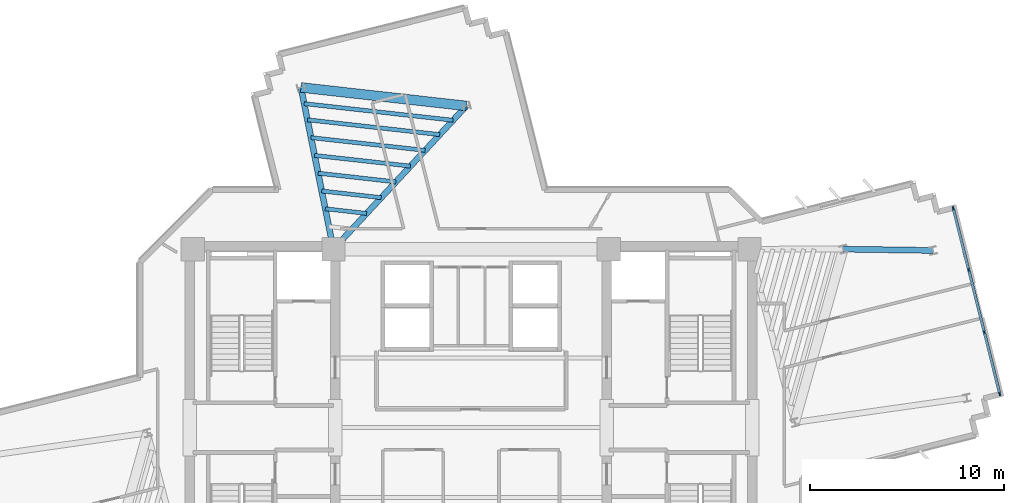
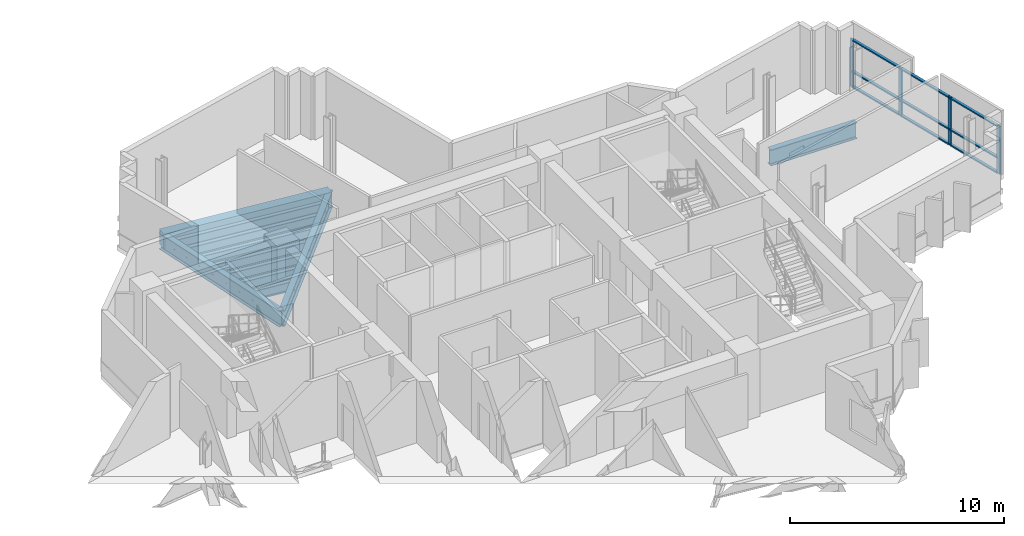
# One storey, part 4 of 13: 13 members, 11 beams, 1 element without a shape of its own.
"""IFC4 building model written with IfcOpenShell, lengths in metres."""

import ifcopenshell
import ifcopenshell.guid

model = None  # the IFC model being written
_history = None  # IfcOwnerHistory: only IFC2X3 demands one
_inside = {}  # id of a spatial element -> (the spatial element, [elements in it])
_under = {}  # id of a project, library or spatial element -> (it, [spatial elements below it])
_declared = {}  # id of a project -> (the project, [libraries it declares])
_typed = {}  # id of a type object -> (the type object, [elements of that type])
_made_of = {}  # id of a material, layer set ... -> (it, [elements and type objects made of it])


def new_model(schema):
    """Start an empty IFC model of exactly this schema.

    Asked for "IFC4X3", IfcOpenShell would pick the latest addendum, in which some entities
    have other attributes; the version numbers below select the first issue.
    IFC2X3 requires an IfcOwnerHistory on every rooted entity: one is made here for all.
    """
    global model, _history
    if schema == "IFC4X3":
        model = ifcopenshell.file(schema_version=(4, 3, 0, 0))
    else:
        model = ifcopenshell.file(schema=schema)
    _inside.clear()
    _under.clear()
    _declared.clear()
    _typed.clear()
    _made_of.clear()
    _history = None
    if model.schema == "IFC2X3":
        org = make("IfcOrganization", Name="unknown")
        user = make(
            "IfcPersonAndOrganization",
            ThePerson=make("IfcPerson", FamilyName="unknown"),
            TheOrganization=org,
        )
        app = make(
            "IfcApplication",
            ApplicationDeveloper=org,
            Version="unknown",
            ApplicationFullName="unknown",
            ApplicationIdentifier="unknown",
        )
        _history = make(
            "IfcOwnerHistory",
            OwningUser=user,
            OwningApplication=app,
            ChangeAction="ADDED",
            CreationDate=0,
        )
    return model


def make(cls, **values):
    """One entity of the class cls with the attributes given. An attribute that is None is left unset."""
    return model.create_entity(
        cls, **{name: value for name, value in values.items() if value is not None}
    )


def rooted(cls, **values):
    """An entity with a GlobalId (a new one), such as an element, a storey or a relation."""
    return make(cls, GlobalId=ifcopenshell.guid.new(), OwnerHistory=_history, **values)


def si_unit(unit_type, name, prefix=None):
    """IfcSIUnit, for example si_unit("LENGTHUNIT", "METRE", prefix="MILLI")."""
    return make("IfcSIUnit", UnitType=unit_type, Prefix=prefix, Name=name)


def assignment(units):
    """IfcUnitAssignment: the units of a project."""
    return None if units is None else make("IfcUnitAssignment", Units=units)


def point(xyz):
    """IfcCartesianPoint."""
    return None if xyz is None else make("IfcCartesianPoint", Coordinates=xyz)


def direction(xyz):
    """IfcDirection."""
    return None if xyz is None else make("IfcDirection", DirectionRatios=xyz)


def frame(location, z_axis=None, x_axis=None):
    """IfcAxis2Placement3D, a coordinate frame: its origin and axes. An axis left out is left unset."""
    return make(
        "IfcAxis2Placement3D",
        Location=point(location),
        Axis=direction(z_axis),
        RefDirection=direction(x_axis),
    )


def frame_2d(location, x_axis=None):
    """IfcAxis2Placement2D, a coordinate frame in the plane: its origin and x axis."""
    return make(
        "IfcAxis2Placement2D", Location=point(location), RefDirection=direction(x_axis)
    )


def origin():
    """The frame at (0, 0, 0) with its axes left unset."""
    return frame((0.0, 0.0, 0.0))


def origin_2d():
    """The frame at (0, 0) in the plane with its x axis left unset."""
    return frame_2d((0.0, 0.0))


def place(relative_to, where):
    """IfcLocalPlacement: puts the frame where relative to a parent placement (None: the world)."""
    return make(
        "IfcLocalPlacement", PlacementRelTo=relative_to, RelativePlacement=where
    )


def context(
    kind, dimensions, precision=None, world=None, true_north=None, identifier=None
):
    """IfcGeometricRepresentationContext, for example the 3D "Model" context."""
    return make(
        "IfcGeometricRepresentationContext",
        ContextIdentifier=identifier,
        ContextType=kind,
        CoordinateSpaceDimension=dimensions,
        Precision=precision,
        WorldCoordinateSystem=world,
        TrueNorth=true_north,
    )


def subcontext(parent, identifier, kind, view, scale=None):
    """IfcGeometricRepresentationSubContext, for example "Body" below "Model"."""
    return make(
        "IfcGeometricRepresentationSubContext",
        ContextIdentifier=identifier,
        ContextType=kind,
        ParentContext=parent,
        TargetScale=scale,
        TargetView=view,
    )


def project(units=None, contexts=None):
    """IfcProject with its units and contexts."""
    return rooted(
        "IfcProject",
        Name="project",
        RepresentationContexts=contexts,
        UnitsInContext=assignment(units),
    )


def spatial(cls, under=None, at=None, **own):
    """A site, building, storey or space (cls), placed at a placement, below another one or the project."""
    s = rooted(cls, ObjectPlacement=at, **own)
    if under is not None:
        _under.setdefault(under.id(), (under, []))[1].append(s)
    return s


def profile(cls, at=None, kind="AREA", **sizes):
    """A parametric profile (cls). Its sizes go by their IFC names, for example OverallWidth=200.0."""
    return make(cls, ProfileType=kind, Position=at, **sizes)


def rectangle(**sizes):
    """IfcRectangleProfileDef."""
    return profile("IfcRectangleProfileDef", **sizes)


def i_section(**sizes):
    """IfcIShapeProfileDef."""
    return profile("IfcIShapeProfileDef", **sizes)


def extrude(swept, where, along, depth):
    """IfcExtrudedAreaSolid: the profile swept, set in the frame where, extruded along a direction by depth."""
    return make(
        "IfcExtrudedAreaSolid",
        SweptArea=swept,
        Position=where,
        ExtrudedDirection=direction(along),
        Depth=depth,
    )


def shape(context_of_items, identifier, shape_type, items):
    """IfcShapeRepresentation: the items that make up one representation, for example the "Body"."""
    return make(
        "IfcShapeRepresentation",
        ContextOfItems=context_of_items,
        RepresentationIdentifier=identifier,
        RepresentationType=shape_type,
        Items=items,
    )


def source(mapping_origin, context_of_items, identifier, shape_type, items):
    """IfcRepresentationMap: a shape defined once, which mapped items show again and again."""
    return make(
        "IfcRepresentationMap",
        MappingOrigin=mapping_origin,
        MappedRepresentation=shape(context_of_items, identifier, shape_type, items),
    )


def transform(
    local_origin,
    x_axis=None,
    y_axis=None,
    z_axis=None,
    scale=None,
    scale2=None,
    scale3=None,
    uniform=True,
):
    """IfcCartesianTransformationOperator3D, or its non-uniform kind. x_axis, y_axis, z_axis: its Axis1, 2, 3."""
    if uniform:
        return make(
            "IfcCartesianTransformationOperator3D",
            Axis1=direction(x_axis),
            Axis2=direction(y_axis),
            LocalOrigin=point(local_origin),
            Scale=scale,
            Axis3=direction(z_axis),
        )
    return make(
        "IfcCartesianTransformationOperator3DnonUniform",
        Axis1=direction(x_axis),
        Axis2=direction(y_axis),
        LocalOrigin=point(local_origin),
        Scale=scale,
        Axis3=direction(z_axis),
        Scale2=scale2,
        Scale3=scale3,
    )


def mapped(mapping_source, mapping_target):
    """IfcMappedItem: shows the shape of a source again, moved by a transform."""
    return make(
        "IfcMappedItem", MappingSource=mapping_source, MappingTarget=mapping_target
    )


def material(Name=None, Category=None):
    """IfcMaterial."""
    return make("IfcMaterial", Name=Name, Category=Category)


def layer(
    of_material, thickness, ventilated=None, Name=None, Category=None, Priority=None
):
    """IfcMaterialLayer: one layer of a wall or slab, of a material (None: an air gap)."""
    return make(
        "IfcMaterialLayer",
        Material=of_material,
        LayerThickness=thickness,
        IsVentilated=ventilated,
        Name=Name,
        Category=Category,
        Priority=Priority,
    )


def layer_set(layers, Name=None):
    """IfcMaterialLayerSet."""
    return make("IfcMaterialLayerSet", MaterialLayers=layers, LayerSetName=Name)


def material_profile(
    of_material, cross_section, Name=None, Category=None, Priority=None
):
    """IfcMaterialProfile: a cross section and its material."""
    return make(
        "IfcMaterialProfile",
        Name=Name,
        Material=of_material,
        Profile=cross_section,
        Priority=Priority,
        Category=Category,
    )


def profile_set(profiles, Name=None, composite=None):
    """IfcMaterialProfileSet."""
    return make(
        "IfcMaterialProfileSet",
        Name=Name,
        MaterialProfiles=profiles,
        CompositeProfile=composite,
    )


def made_of(thing, what):
    """Note that an element or type object is made of a material, layer set ...; save() writes the relation."""
    if what is not None:
        _made_of.setdefault(what.id(), (what, []))[1].append(thing)
    return thing


def type_object(cls, material=None, **own):
    """A type object (cls), such as IfcWallType, which elements share."""
    return made_of(rooted(cls, **own), material)


def element(
    cls,
    number,
    at=None,
    inside=None,
    cuts=None,
    type_object=None,
    material=None,
    context=None,
    identifier="Body",
    shape_type=None,
    held_by="IfcProductDefinitionShape",
    body=None,
    shapes=None,
    **own,
):
    """One element of the class cls, such as IfcWall. Its Tag is "e" and its number.

    at: its placement. inside: the storey or other place that contains it. cuts: it is an
    opening in that element (IfcRelVoidsElement). A single representation is given by context,
    identifier, shape_type and body (its items); several are given by shapes. held_by: the class
    of the entity that holds the representations. save() writes the other relations.
    """
    e = rooted(cls, Tag="e%d" % number, ObjectPlacement=at, **own)
    if body is not None:
        shapes = [shape(context, identifier, shape_type, body)]
    if shapes is not None:
        e.Representation = make(held_by, Representations=shapes)
    if inside is not None:
        _inside.setdefault(inside.id(), (inside, []))[1].append(e)
    if cuts is not None:
        rooted(
            "IfcRelVoidsElement", RelatingBuildingElement=cuts, RelatedOpeningElement=e
        )
    if type_object is not None:
        _typed.setdefault(type_object.id(), (type_object, []))[1].append(e)
    return made_of(e, material)


def aggregate(whole, parts):
    """IfcRelAggregates: a whole, such as a stair, and the parts it consists of."""
    return rooted("IfcRelAggregates", RelatingObject=whole, RelatedObjects=parts)


def save(model, path):
    """Write the relations noted so far, then the file.

    IfcRelAggregates (storeys below a building ...), IfcRelContainedInSpatialStructure (elements
    in a storey), IfcRelDefinesByType, IfcRelAssociatesMaterial and IfcRelDeclares: one each for
    every whole, place, type object, material and project.
    """
    for whole, parts in _under.values():
        aggregate(whole, parts)
    for where, things in _inside.values():
        rooted(
            "IfcRelContainedInSpatialStructure",
            RelatedElements=things,
            RelatingStructure=where,
        )
    for kind, things in _typed.values():
        rooted("IfcRelDefinesByType", RelatedObjects=things, RelatingType=kind)
    for what, things in _made_of.values():
        rooted("IfcRelAssociatesMaterial", RelatedObjects=things, RelatingMaterial=what)
    for by, libraries in _declared.values():
        rooted("IfcRelDeclares", RelatingContext=by, RelatedDefinitions=libraries)
    model.write(path)


model = new_model("IFC4")

# Units and contexts
model_context = context("Model", 3, precision=1e-05, world=origin(), true_north=direction((0.0, 1.0)))
body_context = subcontext(model_context, "Body", "Model", "MODEL_VIEW")
ifc_project = project(units=[si_unit("LENGTHUNIT", "METRE"), si_unit("AREAUNIT", "SQUARE_METRE"), si_unit("VOLUMEUNIT", "CUBIC_METRE"), si_unit("PLANEANGLEUNIT", "RADIAN"), si_unit("MASSUNIT", "GRAM", prefix="KILO")], contexts=[model_context])

# Site, building, storey
site_placement = place(None, origin())
site = spatial("IfcSite", under=ifc_project, at=site_placement, CompositionType="ELEMENT")
building_placement = place(site_placement, origin())
building = spatial("IfcBuilding", under=site, at=building_placement, Name="Zahravan Cultural Tower", CompositionType="ELEMENT")
storey_placement = place(building_placement, frame((0.0, 0.0, 186.300048828125)))
storey = spatial("IfcBuildingStorey", under=building, at=storey_placement, Name="L43", CompositionType="ELEMENT", Elevation=186.300048828125)

# Beams
ifc_material_1 = material(Name="Steel ASTM A992 Grade 50", Category="steel")
ifc_material_profile_1 = material_profile(ifc_material_1, i_section(OverallWidth=0.304931640625, OverallDepth=0.9189453125, WebThickness=0.017333984375, FlangeThickness=0.02783203125, FilletRadius=0.02392578125, at=origin_2d()), Name="W36X170")
ifc_profile_set_1 = profile_set([ifc_material_profile_1], Name="Steel ASTM A992 Grade 50")
beam_type_1 = type_object("IfcBeamType", Name="BM-G-W36X170", PredefinedType="BEAM", material=ifc_profile_set_1)
shared_shape_1 = source(origin(), body_context, "Body", "SweptSolid", [
    extrude(i_section(OverallWidth=0.304931640625, OverallDepth=0.9189453125, WebThickness=0.017333984375, FlangeThickness=0.02783203125, FilletRadius=0.02392578125, at=origin_2d()), origin(), (0.0, 0.0, 1.0), 10.077880859375),
])
beam_1_placement = place(storey_placement, frame((28.89990234375, 36.199951171875, -0.739501953125), z_axis=(0.680170435587, 0.733054007938, 0.0), x_axis=(-0.733054007938, 0.680170435587, 0.0)))
element("IfcBeam", 1, at=beam_1_placement, inside=storey, type_object=beam_type_1, Name="L43 Beam BG-L43-13", PredefinedType="BEAM", context=body_context, shape_type="MappedRepresentation", body=[
    mapped(shared_shape_1, transform((0.0, 0.0, 0.0), x_axis=(1.0, 0.0, 0.0), y_axis=(0.0, 1.0, 0.0), z_axis=(0.0, 0.0, 1.0), scale=1.0)),
])
shared_shape_2 = source(origin(), body_context, "Body", "SweptSolid", [
    extrude(i_section(OverallWidth=0.304931640625, OverallDepth=0.9189453125, WebThickness=0.017333984375, FlangeThickness=0.02783203125, FilletRadius=0.02392578125, at=origin_2d()), origin(), (0.0, 0.0, 1.0), 8.50732421875),
])
beam_2_placement = place(storey_placement, frame((28.89990234375, 36.199951171875, -0.739501953125), z_axis=(-0.196524514012, 0.980498911469, 0.0), x_axis=(-0.980498911469, -0.196524514012, 0.0)))
element("IfcBeam", 2, at=beam_2_placement, inside=storey, type_object=beam_type_1, Name="L43 Beam BG-L43-14", PredefinedType="BEAM", context=body_context, shape_type="MappedRepresentation", body=[
    mapped(shared_shape_2, transform((0.0, 0.0, 0.0), x_axis=(1.0, 0.0, 0.0), y_axis=(0.0, 1.0, 0.0), z_axis=(0.0, 0.0, 1.0), scale=1.0)),
])
shared_shape_3 = source(origin(), body_context, "Body", "SweptSolid", [
    extrude(i_section(OverallWidth=0.304931640625, OverallDepth=0.9189453125, WebThickness=0.017333984375, FlangeThickness=0.02783203125, FilletRadius=0.02392578125, at=origin_2d()), origin(), (0.0, 0.0, 1.0), 4.622314453125),
])
beam_3_placement = place(storey_placement, frame((55.184814453125, 36.2060546875, -0.739501953125), z_axis=(0.999889070044, -0.014894549562, 0.0), x_axis=(0.014894549562, 0.999889070044, 0.0)))
element("IfcBeam", 3, at=beam_3_placement, inside=storey, type_object=beam_type_1, Name="L43 Beam BG-L43-16", PredefinedType="BEAM", context=body_context, shape_type="MappedRepresentation", body=[
    mapped(shared_shape_3, transform((0.0, 0.0, 0.0), x_axis=(1.0, 0.0, 0.0), y_axis=(0.0, 1.0, 0.0), z_axis=(0.0, 0.0, 1.0), scale=1.0)),
])
ifc_material_2 = material(Name="Concrete C50/60", Category="concrete")
ifc_material_profile_2 = material_profile(ifc_material_2, rectangle(XDim=0.5, YDim=0.85009765625, at=origin_2d()), Name="RC500X850")
ifc_profile_set_2 = profile_set([ifc_material_profile_2], Name="Concrete C50/60")
beam_type_2 = type_object("IfcBeamType", Name="BM-SP-RC500X850", PredefinedType="SPANDREL", material=ifc_profile_set_2)
shared_shape_4 = source(origin(), body_context, "Body", "SweptSolid", [
    extrude(rectangle(XDim=0.5, YDim=0.85009765625, at=origin_2d()), origin(), (0.0, 0.0, 1.0), 8.579833984375),
])
beam_4_placement = place(storey_placement, frame((35.754638671875, 43.587646484375, -0.705078125), z_axis=(-0.9938040105, 0.11114669907, 0.0), x_axis=(-0.11114669907, -0.9938040105, 0.0)))
element("IfcBeam", 4, at=beam_4_placement, inside=storey, type_object=beam_type_2, Name="L43 Beam SP-L43-22", PredefinedType="SPANDREL", context=body_context, shape_type="MappedRepresentation", body=[
    mapped(shared_shape_4, transform((0.0, 0.0, 0.0), x_axis=(1.0, 0.0, 0.0), y_axis=(0.0, 1.0, 0.0), z_axis=(0.0, 0.0, 1.0), scale=1.0)),
])
ifc_material_profile_3 = material_profile(ifc_material_1, i_section(OverallWidth=0.2099609375, OverallDepth=0.532958984375, WebThickness=0.01025390625, FlangeThickness=0.015625, FilletRadius=0.013916015625, at=origin_2d()), Name="W21X62")
ifc_profile_set_3 = profile_set([ifc_material_profile_3], Name="Steel ASTM A992 Grade 50")
beam_type_3 = type_object("IfcBeamType", Name="BM-J-W21X62", PredefinedType="JOIST", material=ifc_profile_set_3)
shared_shape_5 = source(origin(), body_context, "Body", "SweptSolid", [
    extrude(i_section(OverallWidth=0.2099609375, OverallDepth=0.532958984375, WebThickness=0.01025390625, FlangeThickness=0.015625, FilletRadius=0.013916015625, at=origin_2d()), origin(), (0.0, 0.0, 1.0), 2.144775390625),
])
beam_5_placement = place(storey_placement, frame((30.613525390625, 38.046875, -0.546630859375), z_axis=(-0.993797370806, 0.111206051, 0.0), x_axis=(-0.111206051, -0.993797370806, 0.0)))
element("IfcBeam", 5, at=beam_5_placement, inside=storey, type_object=beam_type_3, Name="L43 Beam BJ-L43-51", PredefinedType="JOIST", context=body_context, shape_type="MappedRepresentation", body=[
    mapped(shared_shape_5, transform((0.0, 0.0, 0.0), x_axis=(1.0, 0.0, 0.0), y_axis=(0.0, 1.0, 0.0), z_axis=(0.0, 0.0, 1.0), scale=1.0)),
])
shared_shape_6 = source(origin(), body_context, "Body", "SweptSolid", [
    extrude(i_section(OverallWidth=0.2099609375, OverallDepth=0.532958984375, WebThickness=0.01025390625, FlangeThickness=0.015625, FilletRadius=0.013916015625, at=origin_2d()), origin(), (0.0, 0.0, 1.0), 3.088623046875),
])
beam_6_placement = place(storey_placement, frame((31.36767578125, 38.859619140625, -0.546630859375), z_axis=(-0.993805407368, 0.111134208443, 0.0), x_axis=(-0.111134208443, -0.993805407368, 0.0)))
element("IfcBeam", 6, at=beam_6_placement, inside=storey, type_object=beam_type_3, Name="L43 Beam BJ-L43-52", PredefinedType="JOIST", context=body_context, shape_type="MappedRepresentation", body=[
    mapped(shared_shape_6, transform((0.0, 0.0, 0.0), x_axis=(1.0, 0.0, 0.0), y_axis=(0.0, 1.0, 0.0), z_axis=(0.0, 0.0, 1.0), scale=1.0)),
])
shared_shape_7 = source(origin(), body_context, "Body", "SweptSolid", [
    extrude(i_section(OverallWidth=0.2099609375, OverallDepth=0.532958984375, WebThickness=0.01025390625, FlangeThickness=0.015625, FilletRadius=0.013916015625, at=origin_2d()), origin(), (0.0, 0.0, 1.0), 4.0322265625),
])
beam_7_placement = place(storey_placement, frame((32.12158203125, 39.672119140625, -0.546630859375), z_axis=(-0.993802245601, 0.11116247855, 0.0), x_axis=(-0.11116247855, -0.993802245601, 0.0)))
element("IfcBeam", 7, at=beam_7_placement, inside=storey, type_object=beam_type_3, Name="L43 Beam BJ-L43-53", PredefinedType="JOIST", context=body_context, shape_type="MappedRepresentation", body=[
    mapped(shared_shape_7, transform((0.0, 0.0, 0.0), x_axis=(1.0, 0.0, 0.0), y_axis=(0.0, 1.0, 0.0), z_axis=(0.0, 0.0, 1.0), scale=1.0)),
])
shared_shape_8 = source(origin(), body_context, "Body", "SweptSolid", [
    extrude(i_section(OverallWidth=0.2099609375, OverallDepth=0.532958984375, WebThickness=0.01025390625, FlangeThickness=0.015625, FilletRadius=0.013916015625, at=origin_2d()), origin(), (0.0, 0.0, 1.0), 4.97607421875),
])
beam_8_placement = place(storey_placement, frame((32.875732421875, 40.48486328125, -0.546630859375), z_axis=(-0.993806308517, 0.111126149723, 0.0), x_axis=(-0.111126149723, -0.993806308517, 0.0)))
element("IfcBeam", 8, at=beam_8_placement, inside=storey, type_object=beam_type_3, Name="L43 Beam BJ-L43-54", PredefinedType="JOIST", context=body_context, shape_type="MappedRepresentation", body=[
    mapped(shared_shape_8, transform((0.0, 0.0, 0.0), x_axis=(1.0, 0.0, 0.0), y_axis=(0.0, 1.0, 0.0), z_axis=(0.0, 0.0, 1.0), scale=1.0)),
])
shared_shape_9 = source(origin(), body_context, "Body", "SweptSolid", [
    extrude(i_section(OverallWidth=0.2099609375, OverallDepth=0.532958984375, WebThickness=0.01025390625, FlangeThickness=0.015625, FilletRadius=0.013916015625, at=origin_2d()), origin(), (0.0, 0.0, 1.0), 5.919921875),
])
beam_9_placement = place(storey_placement, frame((33.629638671875, 41.29736328125, -0.546630859375), z_axis=(-0.993804520866, 0.111142135602, 0.0), x_axis=(-0.111142135602, -0.993804520866, 0.0)))
element("IfcBeam", 9, at=beam_9_placement, inside=storey, type_object=beam_type_3, Name="L43 Beam BJ-L43-55", PredefinedType="JOIST", context=body_context, shape_type="MappedRepresentation", body=[
    mapped(shared_shape_9, transform((0.0, 0.0, 0.0), x_axis=(1.0, 0.0, 0.0), y_axis=(0.0, 1.0, 0.0), z_axis=(0.0, 0.0, 1.0), scale=1.0)),
])
shared_shape_10 = source(origin(), body_context, "Body", "SweptSolid", [
    extrude(i_section(OverallWidth=0.2099609375, OverallDepth=0.532958984375, WebThickness=0.01025390625, FlangeThickness=0.015625, FilletRadius=0.013916015625, at=origin_2d()), origin(), (0.0, 0.0, 1.0), 6.86376953125),
])
beam_10_placement = place(storey_placement, frame((34.3837890625, 42.110107421875, -0.546630859375), z_axis=(-0.993803224695, 0.111153725024, 0.0), x_axis=(-0.111153725024, -0.993803224695, 0.0)))
element("IfcBeam", 10, at=beam_10_placement, inside=storey, type_object=beam_type_3, Name="L43 Beam BJ-L43-56", PredefinedType="JOIST", context=body_context, shape_type="MappedRepresentation", body=[
    mapped(shared_shape_10, transform((0.0, 0.0, 0.0), x_axis=(1.0, 0.0, 0.0), y_axis=(0.0, 1.0, 0.0), z_axis=(0.0, 0.0, 1.0), scale=1.0)),
])
shared_shape_11 = source(origin(), body_context, "Body", "SweptSolid", [
    extrude(i_section(OverallWidth=0.2099609375, OverallDepth=0.532958984375, WebThickness=0.01025390625, FlangeThickness=0.015625, FilletRadius=0.013916015625, at=origin_2d()), origin(), (0.0, 0.0, 1.0), 7.7216796875),
])
beam_11_placement = place(storey_placement, frame((35.069091796875, 42.848876953125, -0.546630859375), z_axis=(-0.993805212115, 0.11113595446, 0.0), x_axis=(-0.11113595446, -0.993805212115, 0.0)))
element("IfcBeam", 11, at=beam_11_placement, inside=storey, type_object=beam_type_3, Name="L43 Beam BJ-L43-57", PredefinedType="JOIST", context=body_context, shape_type="MappedRepresentation", body=[
    mapped(shared_shape_11, transform((0.0, 0.0, 0.0), x_axis=(1.0, 0.0, 0.0), y_axis=(0.0, 1.0, 0.0), z_axis=(0.0, 0.0, 1.0), scale=1.0)),
])

# Curtain wall, members
ifc_material_3 = material(Name="Anodised bronze-aluminium mullion", Category="aluminium")
ifc_layer = layer(ifc_material_3, 0.199951171875)
ifc_layer_set = layer_set([ifc_layer], Name="Anodised bronze-aluminium mullion")
curtain_wall_type = type_object("IfcCurtainWallType", Name="CW-SYS-2", PredefinedType="USERDEFINED", material=ifc_layer_set)
curtain_wall_placement = place(storey_placement, origin())
curtain_wall = element("IfcCurtainWall", 12, at=curtain_wall_placement, inside=storey, type_object=curtain_wall_type, Name="L43 Recessed Curtain Wall CW-2.1", ObjectType="RECESSED GLAZING", PredefinedType="USERDEFINED")
ifc_material_profile_4 = material_profile(ifc_material_3, rectangle(XDim=0.14990234375, YDim=0.074951171875, at=origin_2d()), Name="AL-T75X150")
ifc_profile_set_4 = profile_set([ifc_material_profile_4], Name="Anodised bronze-aluminium mullion")
member_type_1 = type_object("IfcMemberType", Name="CWT-CW-2", PredefinedType="USERDEFINED", material=ifc_profile_set_4)
shared_shape_12 = source(origin(), body_context, "Body", "SweptSolid", [
    extrude(rectangle(XDim=0.14990234375, YDim=0.074951171875, at=origin_2d()), origin(), (0.0, 0.0, 1.0), 3.231689453125),
])
member_1_placement = place(storey_placement, frame((61.662841796875, 35.0927734375, 0.037353515625), z_axis=(0.24287333559, -0.970058010049, 0.0), x_axis=(0.970058010049, 0.24287333559, 0.0)))
member_1 = element("IfcMember", 13, at=member_1_placement, type_object=member_type_1, Name="CW-2 transom 2.1", ObjectType="TRANSOM", PredefinedType="USERDEFINED", context=body_context, shape_type="MappedRepresentation", body=[
    mapped(shared_shape_12, transform((0.0, 0.0, 0.0), x_axis=(1.0, 0.0, 0.0), y_axis=(0.0, 1.0, 0.0), z_axis=(0.0, 0.0, 1.0), scale=1.0)),
])
member_2_placement = place(storey_placement, frame((61.662841796875, 35.0927734375, 0.89990234375), z_axis=(0.24287333559, -0.970058010049, 0.0), x_axis=(0.970058010049, 0.24287333559, 0.0)))
member_2 = element("IfcMember", 14, at=member_2_placement, type_object=member_type_1, Name="CW-2 transom 2.2", ObjectType="TRANSOM", PredefinedType="USERDEFINED", context=body_context, shape_type="MappedRepresentation", body=[
    mapped(shared_shape_12, transform((0.0, 0.0, 0.0), x_axis=(1.0, 0.0, 0.0), y_axis=(0.0, 1.0, 0.0), z_axis=(0.0, 0.0, 1.0), scale=1.0)),
])
member_3_placement = place(storey_placement, frame((61.662841796875, 35.0927734375, 2.702392578125), z_axis=(0.24287333559, -0.970058010049, 0.0), x_axis=(0.970058010049, 0.24287333559, 0.0)))
member_3 = element("IfcMember", 15, at=member_3_placement, type_object=member_type_1, Name="CW-2 transom 2.3", ObjectType="TRANSOM", PredefinedType="USERDEFINED", context=body_context, shape_type="MappedRepresentation", body=[
    mapped(shared_shape_12, transform((0.0, 0.0, 0.0), x_axis=(1.0, 0.0, 0.0), y_axis=(0.0, 1.0, 0.0), z_axis=(0.0, 0.0, 1.0), scale=1.0)),
])
ifc_material_profile_5 = material_profile(ifc_material_3, rectangle(XDim=0.074951171875, YDim=0.199951171875, at=origin_2d()), Name="AL-M75X200")
ifc_profile_set_5 = profile_set([ifc_material_profile_5], Name="Anodised bronze-aluminium mullion")
member_type_2 = type_object("IfcMemberType", Name="CWM-CW-2", PredefinedType="MULLION", material=ifc_profile_set_5)
shared_shape_13 = source(origin(), body_context, "Body", "SweptSolid", [
    extrude(rectangle(XDim=0.074951171875, YDim=0.199951171875, at=origin_2d()), origin(), (0.0, 0.0, 1.0), 2.739990234375),
])
member_4_placement = place(storey_placement, frame((60.859375, 38.30029296875, 0.0), z_axis=(0.0, 0.0, 1.0), x_axis=(0.970040421945, 0.242943573269, 0.0)))
member_4 = element("IfcMember", 16, at=member_4_placement, type_object=member_type_2, Name="CW-2 mullion 1", PredefinedType="MULLION", context=body_context, shape_type="MappedRepresentation", body=[
    mapped(shared_shape_13, transform((0.0, 0.0, 0.0), x_axis=(1.0, 0.0, 0.0), y_axis=(0.0, 1.0, 0.0), z_axis=(0.0, 0.0, 1.0), scale=1.0)),
])
member_5_placement = place(storey_placement, frame((61.653564453125, 35.129150390625, 0.0), z_axis=(0.0, 0.0, 1.0), x_axis=(0.970040421945, 0.242943573269, 0.0)))
member_5 = element("IfcMember", 17, at=member_5_placement, type_object=member_type_2, Name="CW-2 mullion 2", PredefinedType="MULLION", context=body_context, shape_type="MappedRepresentation", body=[
    mapped(shared_shape_13, transform((0.0, 0.0, 0.0), x_axis=(1.0, 0.0, 0.0), y_axis=(0.0, 1.0, 0.0), z_axis=(0.0, 0.0, 1.0), scale=1.0)),
])
member_6_placement = place(storey_placement, frame((62.45703125, 31.92138671875, 0.0), z_axis=(0.0, 0.0, 1.0), x_axis=(0.970040421945, 0.242943573269, 0.0)))
member_6 = element("IfcMember", 18, at=member_6_placement, type_object=member_type_2, Name="CW-2 mullion 3", PredefinedType="MULLION", context=body_context, shape_type="MappedRepresentation", body=[
    mapped(shared_shape_13, transform((0.0, 0.0, 0.0), x_axis=(1.0, 0.0, 0.0), y_axis=(0.0, 1.0, 0.0), z_axis=(0.0, 0.0, 1.0), scale=1.0)),
])
member_7_placement = place(storey_placement, frame((63.251220703125, 28.750244140625, 0.0), z_axis=(0.0, 0.0, 1.0), x_axis=(0.970040421945, 0.242943573269, 0.0)))
member_7 = element("IfcMember", 19, at=member_7_placement, type_object=member_type_2, Name="CW-2 mullion 4", PredefinedType="MULLION", context=body_context, shape_type="MappedRepresentation", body=[
    mapped(shared_shape_13, transform((0.0, 0.0, 0.0), x_axis=(1.0, 0.0, 0.0), y_axis=(0.0, 1.0, 0.0), z_axis=(0.0, 0.0, 1.0), scale=1.0)),
])
shared_shape_14 = source(origin(), body_context, "Body", "SweptSolid", [
    extrude(rectangle(XDim=0.14990234375, YDim=0.074951171875, at=origin_2d()), origin(), (0.0, 0.0, 1.0), 3.194091796875),
])
member_8_placement = place(storey_placement, frame((60.868408203125, 38.263916015625, 0.037353515625), z_axis=(0.242985213581, -0.97002999231, 0.0), x_axis=(0.97002999231, 0.242985213581, 0.0)))
member_8 = element("IfcMember", 20, at=member_8_placement, type_object=member_type_1, Name="CW-2 transom 1.1", ObjectType="TRANSOM", PredefinedType="USERDEFINED", context=body_context, shape_type="MappedRepresentation", body=[
    mapped(shared_shape_14, transform((0.0, 0.0, 0.0), x_axis=(1.0, 0.0, 0.0), y_axis=(0.0, 1.0, 0.0), z_axis=(0.0, 0.0, 1.0), scale=1.0)),
])
member_9_placement = place(storey_placement, frame((60.868408203125, 38.263916015625, 0.89990234375), z_axis=(0.242985213581, -0.97002999231, 0.0), x_axis=(0.97002999231, 0.242985213581, 0.0)))
member_9 = element("IfcMember", 21, at=member_9_placement, type_object=member_type_1, Name="CW-2 transom 1.2", ObjectType="TRANSOM", PredefinedType="USERDEFINED", context=body_context, shape_type="MappedRepresentation", body=[
    mapped(shared_shape_14, transform((0.0, 0.0, 0.0), x_axis=(1.0, 0.0, 0.0), y_axis=(0.0, 1.0, 0.0), z_axis=(0.0, 0.0, 1.0), scale=1.0)),
])
member_10_placement = place(storey_placement, frame((60.868408203125, 38.263916015625, 2.702392578125), z_axis=(0.242985213581, -0.97002999231, 0.0), x_axis=(0.97002999231, 0.242985213581, 0.0)))
member_10 = element("IfcMember", 22, at=member_10_placement, type_object=member_type_1, Name="CW-2 transom 1.3", ObjectType="TRANSOM", PredefinedType="USERDEFINED", context=body_context, shape_type="MappedRepresentation", body=[
    mapped(shared_shape_14, transform((0.0, 0.0, 0.0), x_axis=(1.0, 0.0, 0.0), y_axis=(0.0, 1.0, 0.0), z_axis=(0.0, 0.0, 1.0), scale=1.0)),
])
member_11_placement = place(storey_placement, frame((62.466064453125, 31.885009765625, 0.037353515625), z_axis=(0.242985213581, -0.97002999231, 0.0), x_axis=(0.97002999231, 0.242985213581, 0.0)))
member_11 = element("IfcMember", 23, at=member_11_placement, type_object=member_type_1, Name="CW-2 transom 3.1", ObjectType="TRANSOM", PredefinedType="USERDEFINED", context=body_context, shape_type="MappedRepresentation", body=[
    mapped(shared_shape_14, transform((0.0, 0.0, 0.0), x_axis=(1.0, 0.0, 0.0), y_axis=(0.0, 1.0, 0.0), z_axis=(0.0, 0.0, 1.0), scale=1.0)),
])
member_12_placement = place(storey_placement, frame((62.466064453125, 31.885009765625, 0.89990234375), z_axis=(0.242985213581, -0.97002999231, 0.0), x_axis=(0.97002999231, 0.242985213581, 0.0)))
member_12 = element("IfcMember", 24, at=member_12_placement, type_object=member_type_1, Name="CW-2 transom 3.2", ObjectType="TRANSOM", PredefinedType="USERDEFINED", context=body_context, shape_type="MappedRepresentation", body=[
    mapped(shared_shape_14, transform((0.0, 0.0, 0.0), x_axis=(1.0, 0.0, 0.0), y_axis=(0.0, 1.0, 0.0), z_axis=(0.0, 0.0, 1.0), scale=1.0)),
])
member_13_placement = place(storey_placement, frame((62.466064453125, 31.885009765625, 2.702392578125), z_axis=(0.242985213581, -0.97002999231, 0.0), x_axis=(0.97002999231, 0.242985213581, 0.0)))
member_13 = element("IfcMember", 25, at=member_13_placement, type_object=member_type_1, Name="CW-2 transom 3.3", ObjectType="TRANSOM", PredefinedType="USERDEFINED", context=body_context, shape_type="MappedRepresentation", body=[
    mapped(shared_shape_14, transform((0.0, 0.0, 0.0), x_axis=(1.0, 0.0, 0.0), y_axis=(0.0, 1.0, 0.0), z_axis=(0.0, 0.0, 1.0), scale=1.0)),
])
aggregate(curtain_wall, [member_4, member_5, member_6, member_7, member_8, member_9, member_10, member_1, member_2, member_3, member_11, member_12, member_13])

save(model, "model.ifc")
